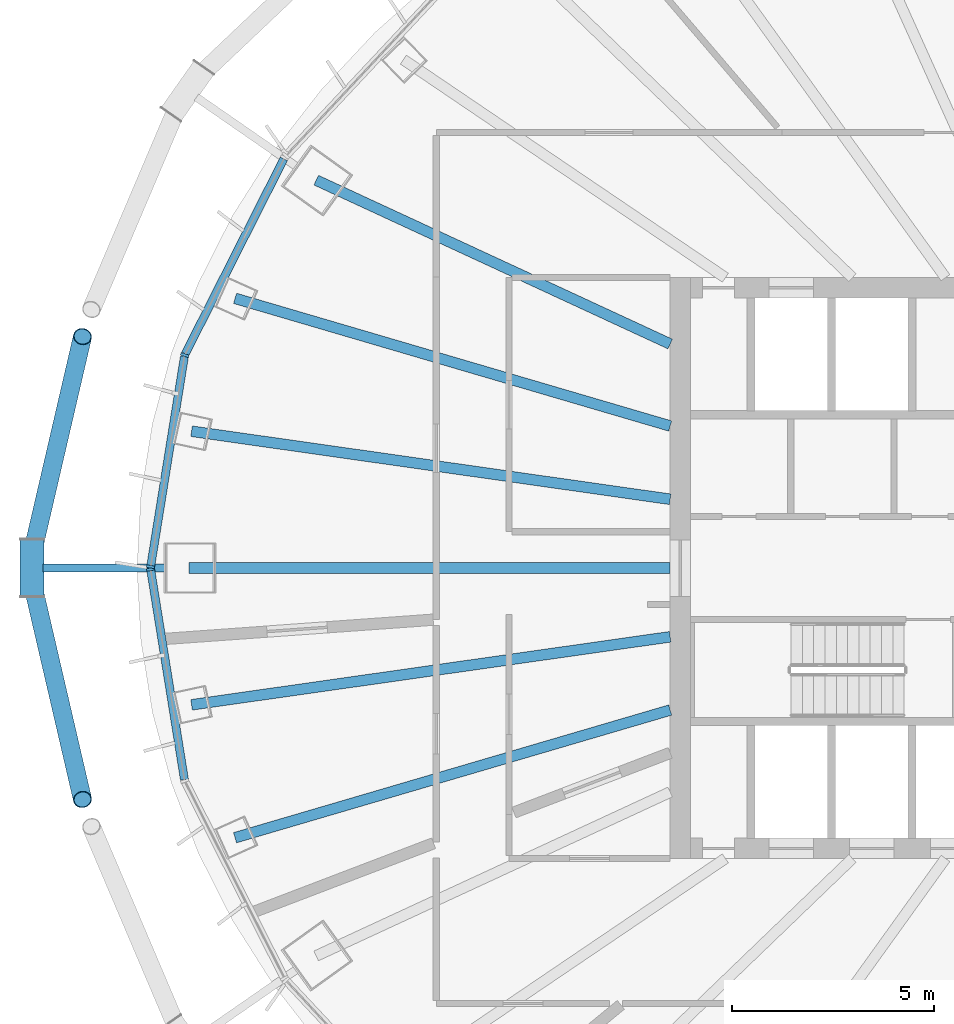
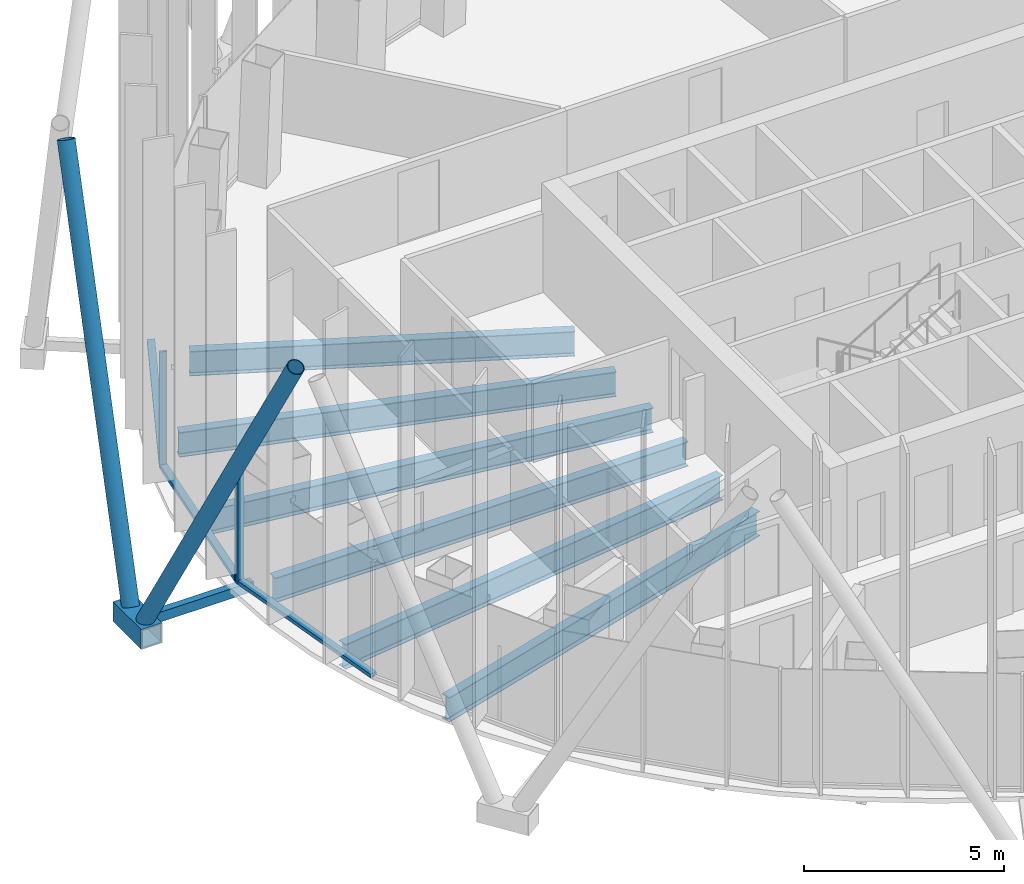
# One storey, part 3 of 19: 10 members, 6 beams, 2 elements without a shape of their own.
"""IFC4 building model written with IfcOpenShell, lengths in metres."""

from ifc_helpers import new_model, si_unit, direction, frame, origin, origin_2d, place, context, subcontext, project, spatial, rectangle, hollow_rectangle, hollow_circle, i_section, extrude, material, layer, layer_set, material_profile, profile_set, type_object, element, aggregate, save


model = new_model("IFC4")

# Units and contexts
model_context = context("Model", 3, precision=1e-05, world=origin(), true_north=direction((0.0, 1.0)))
body_context = subcontext(model_context, "Body", "Model", "MODEL_VIEW")
ifc_project = project(units=[si_unit("LENGTHUNIT", "METRE"), si_unit("AREAUNIT", "SQUARE_METRE"), si_unit("VOLUMEUNIT", "CUBIC_METRE"), si_unit("PLANEANGLEUNIT", "RADIAN"), si_unit("MASSUNIT", "GRAM", prefix="KILO")], contexts=[model_context])

# Site, building, storey
site_placement = place(None, origin())
site = spatial("IfcSite", under=ifc_project, at=site_placement, CompositionType="ELEMENT")
building_placement = place(site_placement, origin())
building = spatial("IfcBuilding", under=site, at=building_placement, Name="Siaravel Broadcast Tower", CompositionType="ELEMENT")
storey_placement = place(building_placement, frame((0.0, 0.0, 130.39990234375)))
storey = spatial("IfcBuildingStorey", under=building, at=storey_placement, Name="L31", CompositionType="ELEMENT", Elevation=130.39990234375)

# Beams
ifc_material_1 = material(Name="Steel S355", Category="steel")
ifc_material_profile_1 = material_profile(ifc_material_1, i_section(OverallWidth=0.26513671875, OverallDepth=0.75390625, WebThickness=0.0126953125, FlangeThickness=0.017578125, FilletRadius=0.0166015625, at=origin_2d()))
ifc_profile_set_1 = profile_set([ifc_material_profile_1], Name="Steel S355")
beam_type = type_object("IfcBeamType", Name="BM-UB 762x267x147", PredefinedType="BEAM", material=ifc_profile_set_1)
beam_1_placement = place(storey_placement, frame((-20.776611328125, 9.6171875, -0.52685546875), z_axis=(0.907486689, -0.420080837, 0.0), x_axis=(0.420080837, 0.907486689, 0.0)))
element("IfcBeam", 1, at=beam_1_placement, inside=storey, type_object=beam_type, Name="Radial beam RB16", PredefinedType="BEAM", context=body_context, shape_type="SweptSolid", body=[
    extrude(i_section(OverallWidth=0.26513671875, OverallDepth=0.75390625, WebThickness=0.0126953125, FlangeThickness=0.017578125, FilletRadius=0.0166015625, at=origin_2d()), origin(), (0.0, 0.0, 1.0), 9.67138671875),
])
beam_2_placement = place(storey_placement, frame((-22.78857421875, 6.68701171875, -0.52685546875), z_axis=(0.959541999, -0.281565538, 0.0), x_axis=(0.281565538, 0.959541999, 0.0)))
element("IfcBeam", 2, at=beam_2_placement, inside=storey, type_object=beam_type, Name="Radial beam RB17", PredefinedType="BEAM", context=body_context, shape_type="SweptSolid", body=[
    extrude(i_section(OverallWidth=0.26513671875, OverallDepth=0.75390625, WebThickness=0.0126953125, FlangeThickness=0.017578125, FilletRadius=0.0166015625, at=origin_2d()), origin(), (0.0, 0.0, 1.0), 11.243408203125),
])
beam_3_placement = place(storey_placement, frame((-23.86669921875, 3.3916015625, -0.52685546875), z_axis=(0.990053919, -0.140688442, 0.0), x_axis=(0.140688442, 0.990053919, 0.0)))
element("IfcBeam", 3, at=beam_3_placement, inside=storey, type_object=beam_type, Name="Radial beam RB18", PredefinedType="BEAM", context=body_context, shape_type="SweptSolid", body=[
    extrude(i_section(OverallWidth=0.26513671875, OverallDepth=0.75390625, WebThickness=0.0126953125, FlangeThickness=0.017578125, FilletRadius=0.0166015625, at=origin_2d()), origin(), (0.0, 0.0, 1.0), 11.98583984375),
])
beam_4_placement = place(storey_placement, frame((-23.928955078125, 0.0, -0.52685546875), z_axis=(1.0, 0.0, 0.0), x_axis=(0.0, 1.0, 0.0)))
element("IfcBeam", 4, at=beam_4_placement, inside=storey, type_object=beam_type, Name="Radial beam RB19", PredefinedType="BEAM", context=body_context, shape_type="SweptSolid", body=[
    extrude(i_section(OverallWidth=0.26513671875, OverallDepth=0.75390625, WebThickness=0.0126953125, FlangeThickness=0.017578125, FilletRadius=0.0166015625, at=origin_2d()), origin(), (0.0, 0.0, 1.0), 11.928955078125),
])
beam_5_placement = place(storey_placement, frame((-23.86669921875, -3.3916015625, -0.52685546875), z_axis=(0.990053919, 0.140688442, 0.0), x_axis=(-0.140688442, 0.990053919, 0.0)))
element("IfcBeam", 5, at=beam_5_placement, inside=storey, type_object=beam_type, Name="Radial beam RB20", PredefinedType="BEAM", context=body_context, shape_type="SweptSolid", body=[
    extrude(i_section(OverallWidth=0.26513671875, OverallDepth=0.75390625, WebThickness=0.0126953125, FlangeThickness=0.017578125, FilletRadius=0.0166015625, at=origin_2d()), origin(), (0.0, 0.0, 1.0), 11.98583984375),
])
beam_6_placement = place(storey_placement, frame((-22.78857421875, -6.68701171875, -0.52685546875), z_axis=(0.959541999, 0.281565538, 0.0), x_axis=(-0.281565538, 0.959541999, 0.0)))
element("IfcBeam", 6, at=beam_6_placement, inside=storey, type_object=beam_type, Name="Radial beam RB21", PredefinedType="BEAM", context=body_context, shape_type="SweptSolid", body=[
    extrude(i_section(OverallWidth=0.26513671875, OverallDepth=0.75390625, WebThickness=0.0126953125, FlangeThickness=0.017578125, FilletRadius=0.0166015625, at=origin_2d()), origin(), (0.0, 0.0, 1.0), 11.243408203125),
])

# Curtain wall, members
ifc_material_2 = material(Name="Aluminium 6063-T6", Category="aluminium")
ifc_layer = layer(ifc_material_2, 0.199951171875)
ifc_layer_set = layer_set([ifc_layer], Name="Aluminium 6063-T6")
curtain_wall_type = type_object("IfcCurtainWallType", Name="Unitised curtain wall, zone 2", PredefinedType="NOTDEFINED", material=ifc_layer_set)
curtain_wall_1_placement = place(storey_placement, origin())
curtain_wall_1 = element("IfcCurtainWall", 7, at=curtain_wall_1_placement, inside=storey, type_object=curtain_wall_type, Name="L31 Unitised curtain wall, zone 2 06", PredefinedType="NOTDEFINED")
ifc_material_profile_2 = material_profile(ifc_material_2, rectangle(XDim=0.199951171875, YDim=0.06494140625, at=origin_2d()))
ifc_profile_set_2 = profile_set([ifc_material_profile_2], Name="Aluminium 6063-T6")
member_type_1 = type_object("IfcMemberType", Name="CW-Z2 mullion", PredefinedType="MULLION", material=ifc_profile_set_2)
member_1_placement = place(storey_placement, frame((-24.0380859375, 5.281005859375, 0.0), z_axis=(0.0, 0.0, 1.0), x_axis=(0.951177626, -0.308644007, 0.0)))
member_1 = element("IfcMember", 8, at=member_1_placement, type_object=member_type_1, Name="CW-Z2 mullion 2", PredefinedType="MULLION", context=body_context, shape_type="SweptSolid", body=[
    extrude(rectangle(XDim=0.199951171875, YDim=0.06494140625, at=origin_2d()), origin(), (0.0, 0.0, 1.0), 3.550048828125),
])
member_2_placement = place(storey_placement, frame((-24.881591796875, 0.031982421875, 0.0), z_axis=(0.0, 0.0, 1.0), x_axis=(0.987329298, -0.158684773, 0.0)))
member_2 = element("IfcMember", 9, at=member_2_placement, type_object=member_type_1, Name="CW-Z2 mullion 3", PredefinedType="MULLION", context=body_context, shape_type="SweptSolid", body=[
    extrude(rectangle(XDim=0.199951171875, YDim=0.06494140625, at=origin_2d()), origin(), (0.0, 0.0, 1.0), 3.550048828125),
])

# Curtain wall, member
curtain_wall_2_placement = place(storey_placement, origin())
curtain_wall_2 = element("IfcCurtainWall", 10, at=curtain_wall_2_placement, inside=storey, type_object=curtain_wall_type, Name="L31 Unitised curtain wall, zone 2 07", PredefinedType="NOTDEFINED")
member_3_placement = place(storey_placement, frame((-24.881591796875, -0.031982421875, 0.0), z_axis=(0.0, 0.0, 1.0), x_axis=(0.987329298, 0.158684773, 0.0)))
member_3 = element("IfcMember", 11, at=member_3_placement, type_object=member_type_1, Name="CW-Z2 mullion 1", PredefinedType="MULLION", context=body_context, shape_type="SweptSolid", body=[
    extrude(rectangle(XDim=0.199951171875, YDim=0.06494140625, at=origin_2d()), origin(), (0.0, 0.0, 1.0), 3.550048828125),
])

# Member
ifc_material_profile_3 = material_profile(ifc_material_2, rectangle(XDim=0.199951171875, YDim=0.110107421875, at=origin_2d()))
ifc_profile_set_3 = profile_set([ifc_material_profile_3], Name="Aluminium 6063-T6")
member_type_2 = type_object("IfcMemberType", Name="CW-Z2 transom", PredefinedType="USERDEFINED", material=ifc_profile_set_3)
member_4_placement = place(storey_placement, frame((-21.57958984375, 10.14306640625, 0.05517578125), z_axis=(-0.45124818, -0.892398498, 0.0), x_axis=(0.892398498, -0.45124818, 0.0)))
member_4 = element("IfcMember", 12, at=member_4_placement, type_object=member_type_2, Name="CW-Z2 transom 1", ObjectType="TRANSOM", PredefinedType="USERDEFINED", context=body_context, shape_type="SweptSolid", body=[
    extrude(rectangle(XDim=0.199951171875, YDim=0.110107421875, at=origin_2d()), origin(), (0.0, 0.0, 1.0), 5.415771484375),
])

member_5_placement = place(storey_placement, frame((-24.043212890625, 5.248779296875, 0.05517578125), z_axis=(-0.158726655, -0.987322566, 0.0), x_axis=(0.987322566, -0.158726655, 0.0)))
member_5 = element("IfcMember", 13, at=member_5_placement, type_object=member_type_2, Name="CW-Z2 transom 2", ObjectType="TRANSOM", PredefinedType="USERDEFINED", context=body_context, shape_type="SweptSolid", body=[
    extrude(rectangle(XDim=0.199951171875, YDim=0.110107421875, at=origin_2d()), origin(), (0.0, 0.0, 1.0), 5.251220703125),
])

aggregate(curtain_wall_1, [member_1, member_2, member_4, member_5])

member_6_placement = place(storey_placement, frame((-24.876708984375, -0.064208984375, 0.05517578125), z_axis=(0.158726655, -0.987322566, 0.0), x_axis=(0.987322566, 0.158726655, 0.0)))
member_6 = element("IfcMember", 14, at=member_6_placement, type_object=member_type_2, Name="CW-Z2 transom 1", ObjectType="TRANSOM", PredefinedType="USERDEFINED", context=body_context, shape_type="SweptSolid", body=[
    extrude(rectangle(XDim=0.199951171875, YDim=0.110107421875, at=origin_2d()), origin(), (0.0, 0.0, 1.0), 5.251220703125),
])

aggregate(curtain_wall_2, [member_3, member_6])

# Members
ifc_material_3 = material(Name="Steel S460", Category="steel")
ifc_material_profile_4 = material_profile(ifc_material_3, hollow_circle(Radius=0.228515625, WallThickness=0.02001953125, at=origin_2d()))
ifc_profile_set_4 = profile_set([ifc_material_profile_4], Name="Steel S460")
member_type_3 = type_object("IfcMemberType", Name="Diagrid diagonal CHS 457x20", PredefinedType="BRACE", material=ifc_profile_set_4)
for number, where, z_axis, x_axis, name in (
    (15, (-27.821044921875, 0.351318359375, 0.070068359375), (0.104875429, 0.452023132, 0.885819526), (-0.974124969, 0.226010056, 0.0), "Diagrid diagonal R13 station 36C"),
    (16, (-27.821044921875, -0.351318359375, 0.070068359375), (0.104875429, -0.452023132, 0.885819526), (0.974124969, 0.226010056, 0.0), "Diagrid diagonal R13 station 36A"),
):
    element("IfcMember", number, at=place(storey_placement, frame(where, z_axis=z_axis, x_axis=x_axis)), inside=storey, type_object=member_type_3, Name=name, PredefinedType="BRACE", context=body_context, shape_type="SweptSolid", body=[
        extrude(hollow_circle(Radius=0.228515625, WallThickness=0.02001953125, at=origin_2d()), origin(), (0.0, 0.0, 1.0), 11.921142578125),
    ])
ifc_material_profile_5 = material_profile(ifc_material_3, hollow_rectangle(XDim=0.60009765625, YDim=0.60009765625, WallThickness=0.0400390625, at=origin_2d()))
ifc_profile_set_5 = profile_set([ifc_material_profile_5], Name="Steel S460")
member_type_4 = type_object("IfcMemberType", Name="Diagrid node BOX 600x600x40", PredefinedType="USERDEFINED", material=ifc_profile_set_5)
member_7_placement = place(storey_placement, frame((-27.821044921875, 0.699951171875, -0.199951171875), z_axis=(0.0, -1.0, 0.0), x_axis=(1.0, 0.0, 0.0)))
element("IfcMember", 17, at=member_7_placement, inside=storey, type_object=member_type_4, Name="Diagrid node R13 station 36", ObjectType="DIAGRID NODE", PredefinedType="USERDEFINED", context=body_context, shape_type="SweptSolid", body=[
    extrude(hollow_rectangle(XDim=0.60009765625, YDim=0.60009765625, WallThickness=0.0400390625, at=origin_2d()), origin(), (0.0, 0.0, 1.0), 1.39990234375),
])
ifc_material_profile_6 = material_profile(ifc_material_3, hollow_rectangle(XDim=0.199951171875, YDim=0.300048828125, WallThickness=0.012451171875, at=origin_2d()))
ifc_profile_set_6 = profile_set([ifc_material_profile_6], Name="Steel S460")
member_type_5 = type_object("IfcMemberType", Name="Diagrid node arm RHS 300x200x12.5", PredefinedType="STRUT", material=ifc_profile_set_6)
member_8_placement = place(storey_placement, frame((-24.52392578125, 0.0, -0.199951171875), z_axis=(-1.0, 0.0, 0.0), x_axis=(0.0, -1.0, 0.0)))
element("IfcMember", 18, at=member_8_placement, inside=storey, type_object=member_type_5, Name="Node arm R13 station 36", PredefinedType="STRUT", context=body_context, shape_type="SweptSolid", body=[
    extrude(hollow_rectangle(XDim=0.199951171875, YDim=0.300048828125, WallThickness=0.012451171875, at=origin_2d()), origin(), (0.0, 0.0, 1.0), 3.027099609375),
])

save(model, "model.ifc")
